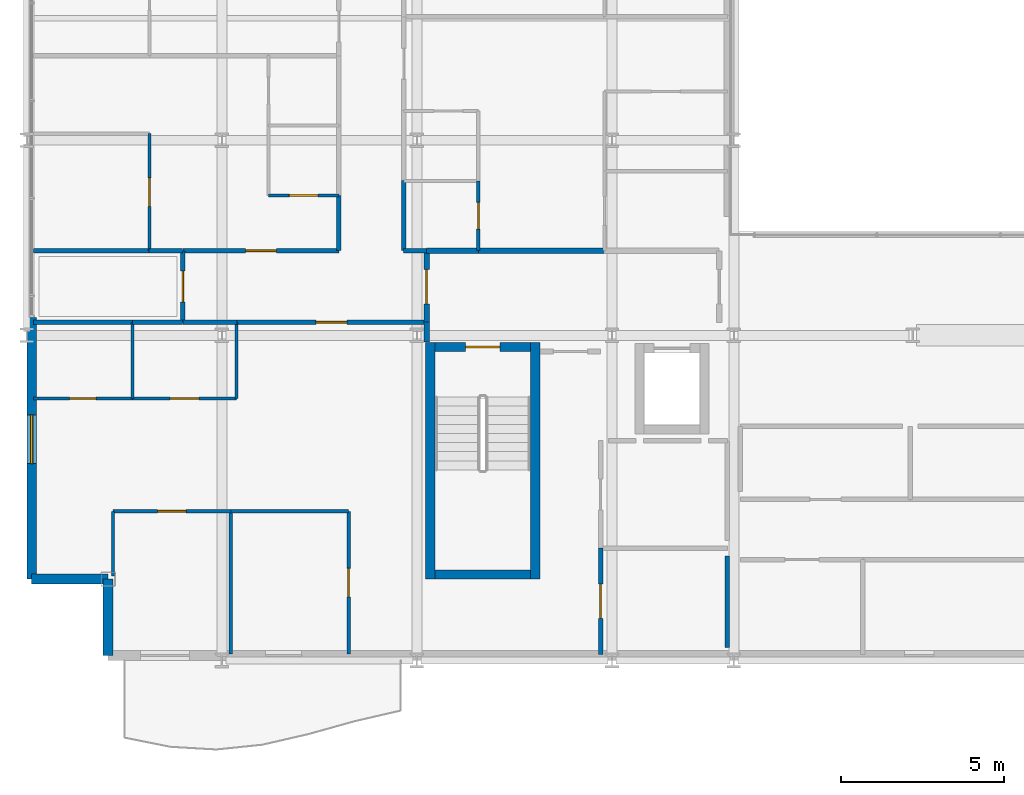
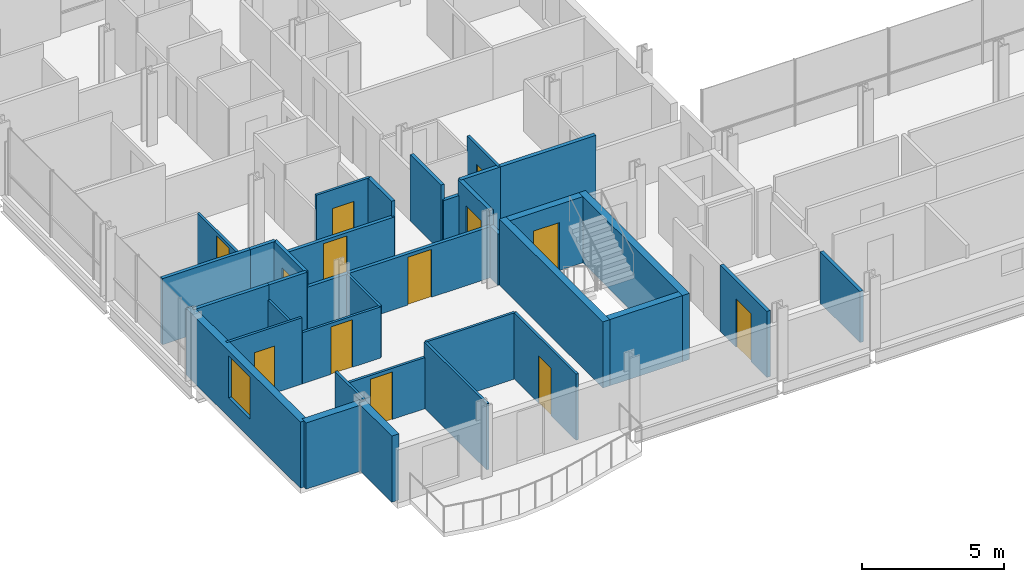
# One storey, part 31 of 41: 36 walls, 13 doors, 1 window, 14 openings.
"""IFC4 building model written with IfcOpenShell, lengths in metres."""

from ifc_helpers import new_model, si_unit, direction, frame, frame_2d, origin, place, context, subcontext, project, spatial, rectangle, extrude, material, layer, layer_set, type_object, element, fill, save


model = new_model("IFC4")

# Units and contexts
model_context = context("Model", 3, precision=1e-05, world=origin(), true_north=direction((0.0, 1.0)))
body_context = subcontext(model_context, "Body", "Model", "MODEL_VIEW")
ifc_project = project(units=[si_unit("LENGTHUNIT", "METRE"), si_unit("AREAUNIT", "SQUARE_METRE"), si_unit("VOLUMEUNIT", "CUBIC_METRE"), si_unit("PLANEANGLEUNIT", "RADIAN"), si_unit("MASSUNIT", "GRAM", prefix="KILO")], contexts=[model_context])

# Site, building, storey
site_placement = place(None, origin())
site = spatial("IfcSite", under=ifc_project, at=site_placement, CompositionType="ELEMENT")
building_placement = place(site_placement, origin())
building = spatial("IfcBuilding", under=site, at=building_placement, Name="Brevholm Reach", CompositionType="ELEMENT")
storey_placement = place(building_placement, frame((0.0, 0.0, 93.10009765625)))
storey = spatial("IfcBuildingStorey", under=building, at=storey_placement, Name="L27", CompositionType="ELEMENT", Elevation=93.10009765625)

# Walls
ifc_material_1 = material(Name="Concrete C50/60", Category="concrete")
ifc_layer_1 = layer(ifc_material_1, 0.280029296875)
ifc_layer_set_1 = layer_set([ifc_layer_1], Name="Concrete C50/60")
wall_type_1 = type_object("IfcWallType", Name="WAL-COR-280", PredefinedType="SHEAR", material=ifc_layer_set_1)
for number, where, z_axis, x_axis, name in (
    (1, (12.409912109375, 2.5, 0.0), (0.0, 0.0, 1.0), (0.0, 1.0, 0.0), "L27 Escape Stair ST-1 Core Wall W"),
    (2, (15.639892578125, 2.5, 0.0), (0.0, 0.0, 1.0), (0.0, 1.0, 0.0), "L27 Escape Stair ST-1 Core Wall E"),
):
    element("IfcWall", number, at=place(storey_placement, frame(where, z_axis=z_axis, x_axis=x_axis)), inside=storey, type_object=wall_type_1, Name=name, PredefinedType="SHEAR", context=body_context, shape_type="SweptSolid", body=[
        extrude(rectangle(XDim=7.280029296875, YDim=0.280029296875, at=frame_2d((3.64013671875, 0.0))), origin(), (0.0, 0.0, 1.0), 2.83984375),
    ])
wall_1_placement = place(storey_placement, frame((12.550048828125, 2.639892578125, 0.0), z_axis=(0.0, 0.0, 1.0), x_axis=(1.0, 0.0, 0.0)))
element("IfcWall", 3, at=wall_1_placement, inside=storey, type_object=wall_type_1, Name="L27 Escape Stair ST-1 Core Wall S", PredefinedType="SHEAR", context=body_context, shape_type="SweptSolid", body=[
    extrude(rectangle(XDim=2.949951171875, YDim=0.280029296875, at=frame_2d((1.47509765625, 0.0))), origin(), (0.0, 0.0, 1.0), 2.83984375),
])

# Wall, opening, door
wall_2_placement = place(storey_placement, frame((15.5, 9.639892578125, 0.0), z_axis=(0.0, 0.0, 1.0), x_axis=(-1.0, 0.0, 0.0)))
wall_2 = element("IfcWall", 4, at=wall_2_placement, inside=storey, type_object=wall_type_1, Name="L27 Escape Stair ST-1 Core Wall N", PredefinedType="SHEAR", context=body_context, shape_type="SweptSolid", body=[
    extrude(rectangle(XDim=2.949951171875, YDim=0.280029296875, at=frame_2d((1.47509765625, 0.0))), origin(), (0.0, 0.0, 1.0), 2.83984375),
])
opening_1_placement = place(wall_2_placement, frame((0.949951171875, 0.0, 0.0)))
opening_1 = element("IfcOpeningElement", 5, at=opening_1_placement, cuts=wall_2, Name="Opening SD-ST-1", PredefinedType="OPENING", context=body_context, shape_type="SweptSolid", body=[
    extrude(rectangle(XDim=1.050048828125, YDim=2.06005859375, at=frame_2d((0.52490234375, 1.030029296875))), frame((0.0, 0.14990234375, 0.0), z_axis=(0.0, -1.0, 0.0), x_axis=(1.0, 0.0, 0.0)), (0.0, 0.0, 1.0), 0.300048828125),
])
ifc_material_2 = material(Name="Hardwood-Lipped Steel-Core Fire and Smoke Door", Category="steel")
door_type_1 = type_object("IfcDoorType", Name="DOR-INT-FD60S", OperationType="NOTDEFINED", PredefinedType="DOOR", material=ifc_material_2)
door_1_placement = place(opening_1_placement, origin())
door_1 = element("IfcDoor", 6, at=door_1_placement, inside=storey, type_object=door_type_1, Name="L27 Protected Stair ST-1 Lobby Door", OperationType="SINGLE_SWING_LEFT", OverallHeight=2.06005859375, OverallWidth=1.050048828125, PredefinedType="DOOR", context=body_context, shape_type="SweptSolid", body=[
    extrude(rectangle(XDim=1.050048828125, YDim=2.06005859375, at=frame_2d((0.52490234375, 1.030029296875))), frame((0.0, 0.02490234375, 0.0), z_axis=(0.0, -1.0, 0.0), x_axis=(1.0, 0.0, 0.0)), (0.0, 0.0, 1.0), 0.050048828125),
])
fill(opening_1, door_1)

# Walls
ifc_material_3 = material(Name="Concrete C40/50", Category="concrete")
ifc_layer_2 = layer(ifc_material_3, 0.300048828125)
ifc_layer_set_2 = layer_set([ifc_layer_2], Name="Concrete C40/50")
wall_type_2 = type_object("IfcWallType", Name="WAL-EXT-300", PredefinedType="STANDARD", material=ifc_layer_set_2)
for number, where, z_axis, x_axis, name in (
    (7, (2.5, 2.5, 0.0), (0.0, 0.0, 1.0), (0.0, -1.0, 0.0), "L27 Facade Wall WAL-L27-CSW1"),
    (8, (0.14990234375, 2.5, 0.0), (0.0, 0.0, 1.0), (1.0, 0.0, 0.0), "L27 Facade Wall WAL-L27-CSW2"),
):
    element("IfcWall", number, at=place(storey_placement, frame(where, z_axis=z_axis, x_axis=x_axis)), inside=storey, type_object=wall_type_2, Name=name, PredefinedType="STANDARD", context=body_context, shape_type="SweptSolid", body=[
        extrude(rectangle(XDim=2.35009765625, YDim=0.300048828125, at=frame_2d((1.175048828125, 0.0))), origin(), (0.0, 0.0, 1.0), 2.83984375),
    ])

# Wall, opening, window
wall_3_placement = place(storey_placement, frame((0.14990234375, 10.550048828125, 0.0), z_axis=(0.0, 0.0, 1.0), x_axis=(0.0, -1.0, 0.0)))
wall_3 = element("IfcWall", 9, at=wall_3_placement, inside=storey, type_object=wall_type_2, Name="L27 Facade Wall WAL-L27-W-S", PredefinedType="STANDARD", context=body_context, shape_type="SweptSolid", body=[
    extrude(rectangle(XDim=8.050048828125, YDim=0.300048828125, at=frame_2d((4.02490234375, 0.0))), origin(), (0.0, 0.0, 1.0), 2.83984375),
])
opening_2_placement = place(wall_3_placement, frame((3.0, 0.0, 0.820068359375)))
opening_2 = element("IfcOpeningElement", 10, at=opening_2_placement, cuts=wall_3, Name="Opening WN-05", PredefinedType="OPENING", context=body_context, shape_type="SweptSolid", body=[
    extrude(rectangle(XDim=1.5, YDim=1.800048828125, at=frame_2d((0.75, 0.89990234375))), frame((0.0, 0.159912109375, 0.0), z_axis=(0.0, -1.0, 0.0), x_axis=(1.0, 0.0, 0.0)), (0.0, 0.0, 1.0), 0.320068359375),
])
ifc_material_4 = material(Name="Dark Anodised Aluminium and Solar-Control IGU Glass", Category="aluminium")
window_type = type_object("IfcWindowType", Name="WIN-RES-1500", PartitioningType="SINGLE_PANEL", PredefinedType="WINDOW", material=ifc_material_4)
window_placement = place(opening_2_placement, origin())
window = element("IfcWindow", 11, at=window_placement, inside=storey, type_object=window_type, Name="L27 Window WIN-L27-WS-1", OverallHeight=1.800048828125, OverallWidth=1.5, PartitioningType="SINGLE_PANEL", PredefinedType="WINDOW", context=body_context, shape_type="SweptSolid", body=[
    extrude(rectangle(XDim=1.5, YDim=1.800048828125, at=frame_2d((0.75, 0.89990234375))), frame((0.0, 0.030029296875, 0.0), z_axis=(0.0, -1.0, 0.0), x_axis=(1.0, 0.0, 0.0)), (0.0, 0.0, 1.0), 0.06005859375),
])
fill(opening_2, window)

# Wall
ifc_material_5 = material(Name="Moisture-Resistant Acoustic Gypsum Stud Partition 100 mm", Category="gypsum")
ifc_layer_3 = layer(ifc_material_5, 0.10009765625)
ifc_layer_set_3 = layer_set([ifc_layer_3], Name="Moisture-Resistant Acoustic Gypsum Stud Partition 100 mm")
wall_type_3 = type_object("IfcWallType", Name="WAL-PRT-100", PredefinedType="PARTITIONING", material=ifc_layer_set_3)
wall_4_placement = place(storey_placement, frame((3.25, 8.053955078125, 0.0), z_axis=(0.0, 0.0, 1.0), x_axis=(0.0, 1.0, 0.0)))
element("IfcWall", 12, at=wall_4_placement, inside=storey, type_object=wall_type_3, Name="L27 Internal Partition 067", PredefinedType="PARTITIONING", context=body_context, shape_type="SweptSolid", body=[
    extrude(rectangle(XDim=2.345947265625, YDim=0.10009765625, at=frame_2d((1.1728515625, 0.0))), origin(), (0.0, 0.0, 1.0), 2.19482421875),
])

# Wall, opening, door
wall_5_placement = place(storey_placement, frame((0.199951171875, 8.053955078125, 0.0), z_axis=(0.0, 0.0, 1.0), x_axis=(1.0, 0.0, 0.0)))
wall_5 = element("IfcWall", 13, at=wall_5_placement, inside=storey, type_object=wall_type_3, Name="L27 Internal Partition 068", PredefinedType="PARTITIONING", context=body_context, shape_type="SweptSolid", body=[
    extrude(rectangle(XDim=3.050048828125, YDim=0.10009765625, at=frame_2d((1.52490234375, 0.0))), origin(), (0.0, 0.0, 1.0), 2.83984375),
])
opening_3_placement = place(wall_5_placement, frame((1.114990234375, 0.0, 0.0)))
opening_3 = element("IfcOpeningElement", 14, at=opening_3_placement, cuts=wall_5, Name="Opening ID-03", PredefinedType="OPENING", context=body_context, shape_type="SweptSolid", body=[
    extrude(rectangle(XDim=0.820068359375, YDim=2.02001953125, at=frame_2d((0.41015625, 1.010009765625))), frame((0.0, 0.06005859375, 0.0), z_axis=(0.0, -1.0, 0.0), x_axis=(1.0, 0.0, 0.0)), (0.0, 0.0, 1.0), 0.1201171875),
])
ifc_material_6 = material(Name="Moisture-Resistant Painted Timber Internal Bathroom Door", Category="wood")
door_type_2 = type_object("IfcDoorType", Name="DOR-BATH-820", OperationType="NOTDEFINED", PredefinedType="DOOR", material=ifc_material_6)
door_2_placement = place(opening_3_placement, origin())
door_2 = element("IfcDoor", 15, at=door_2_placement, inside=storey, type_object=door_type_2, Name="L27 Internal Door 026", OperationType="SINGLE_SWING_LEFT", OverallHeight=2.02001953125, OverallWidth=0.820068359375, PredefinedType="DOOR", context=body_context, shape_type="SweptSolid", body=[
    extrude(rectangle(XDim=0.820068359375, YDim=2.02001953125, at=frame_2d((0.41015625, 1.010009765625))), frame((0.0, 0.02490234375, 0.0), z_axis=(0.0, -1.0, 0.0), x_axis=(1.0, 0.0, 0.0)), (0.0, 0.0, 1.0), 0.050048828125),
])
fill(opening_3, door_2)

wall_6_placement = place(storey_placement, frame((3.25390625, 8.053955078125, 0.0), z_axis=(0.0, 0.0, 1.0), x_axis=(1.0, 0.0, 0.0)))
wall_6 = element("IfcWall", 16, at=wall_6_placement, inside=storey, type_object=wall_type_3, Name="L27 Internal Partition 070", PredefinedType="PARTITIONING", context=body_context, shape_type="SweptSolid", body=[
    extrude(rectangle(XDim=3.196044921875, YDim=0.10009765625, at=frame_2d((1.59814453125, 0.0))), origin(), (0.0, 0.0, 1.0), 2.19482421875),
])
opening_4_placement = place(wall_6_placement, frame((1.157958984375, 0.0, 0.0)))
opening_4 = element("IfcOpeningElement", 17, at=opening_4_placement, cuts=wall_6, Name="Opening ID-01", PredefinedType="OPENING", context=body_context, shape_type="SweptSolid", body=[
    extrude(rectangle(XDim=0.8798828125, YDim=2.0400390625, at=frame_2d((0.43994140625, 1.02001953125))), frame((0.0, 0.06005859375, 0.0), z_axis=(0.0, -1.0, 0.0), x_axis=(1.0, 0.0, 0.0)), (0.0, 0.0, 1.0), 0.1201171875),
])
ifc_material_7 = material(Name="Lacquered Ash Solid-Core Acoustic Internal Door", Category="timber")
door_type_3 = type_object("IfcDoorType", Name="DOR-INT-880", OperationType="NOTDEFINED", PredefinedType="DOOR", material=ifc_material_7)
door_3_placement = place(opening_4_placement, origin())
door_3 = element("IfcDoor", 18, at=door_3_placement, inside=storey, type_object=door_type_3, Name="L27 Internal Door 027", OperationType="SINGLE_SWING_RIGHT", OverallHeight=2.0400390625, OverallWidth=0.8798828125, PredefinedType="DOOR", context=body_context, shape_type="SweptSolid", body=[
    extrude(rectangle(XDim=0.8798828125, YDim=2.0400390625, at=frame_2d((0.43994140625, 1.02001953125))), frame((0.0, 0.02490234375, 0.0), z_axis=(0.0, -1.0, 0.0), x_axis=(1.0, 0.0, 0.0)), (0.0, 0.0, 1.0), 0.050048828125),
])
fill(opening_4, door_3)

# Walls
wall_7_placement = place(storey_placement, frame((6.449951171875, 8.053955078125, 0.0), z_axis=(0.0, 0.0, 1.0), x_axis=(0.0, 1.0, 0.0)))
element("IfcWall", 19, at=wall_7_placement, inside=storey, type_object=wall_type_3, Name="L27 Internal Partition 071", PredefinedType="PARTITIONING", context=body_context, shape_type="SweptSolid", body=[
    extrude(rectangle(XDim=2.342041015625, YDim=0.10009765625, at=frame_2d((1.1708984375, 0.0))), origin(), (0.0, 0.0, 1.0), 2.19482421875),
])
wall_8_placement = place(storey_placement, frame((6.27490234375, 0.199951171875, 0.0), z_axis=(0.0, 0.0, 1.0), x_axis=(0.0, 1.0, 0.0)))
element("IfcWall", 20, at=wall_8_placement, inside=storey, type_object=wall_type_3, Name="L27 Internal Partition 073", PredefinedType="PARTITIONING", context=body_context, shape_type="SweptSolid", body=[
    extrude(rectangle(XDim=4.385986328125, YDim=0.10009765625, at=frame_2d((2.19287109375, 0.0))), origin(), (0.0, 0.0, 1.0), 2.83984375),
])
wall_9_placement = place(storey_placement, frame((2.64990234375, 2.599365234375, 0.0), z_axis=(0.0, 0.0, 1.0), x_axis=(0.0, 1.0, 0.0)))
element("IfcWall", 21, at=wall_9_placement, inside=storey, type_object=wall_type_3, Name="L27 Internal Partition 074", PredefinedType="PARTITIONING", context=body_context, shape_type="SweptSolid", body=[
    extrude(rectangle(XDim=1.986572265625, YDim=0.10009765625, at=frame_2d((0.9931640625, 0.0))), origin(), (0.0, 0.0, 1.0), 2.83984375),
])

# Wall, opening, door
wall_10_placement = place(storey_placement, frame((2.64990234375, 4.5859375, 0.0), z_axis=(0.0, 0.0, 1.0), x_axis=(1.0, 0.0, 0.0)))
wall_10 = element("IfcWall", 22, at=wall_10_placement, inside=storey, type_object=wall_type_3, Name="L27 Internal Partition 075", PredefinedType="PARTITIONING", context=body_context, shape_type="SweptSolid", body=[
    extrude(rectangle(XDim=3.625, YDim=0.10009765625, at=frame_2d((1.8125, 0.0))), origin(), (0.0, 0.0, 1.0), 2.19482421875),
])
opening_5_placement = place(wall_10_placement, frame((1.37255859375, 0.0, 0.0)))
opening_5 = element("IfcOpeningElement", 23, at=opening_5_placement, cuts=wall_10, Name="Opening ID-01", PredefinedType="OPENING", context=body_context, shape_type="SweptSolid", body=[
    extrude(rectangle(XDim=0.8798828125, YDim=2.0400390625, at=frame_2d((0.43994140625, 1.02001953125))), frame((0.0, 0.06005859375, 0.0), z_axis=(0.0, -1.0, 0.0), x_axis=(1.0, 0.0, 0.0)), (0.0, 0.0, 1.0), 0.1201171875),
])
door_4_placement = place(opening_5_placement, origin())
door_4 = element("IfcDoor", 24, at=door_4_placement, inside=storey, type_object=door_type_3, Name="L27 Internal Door 028", OperationType="SINGLE_SWING_LEFT", OverallHeight=2.0400390625, OverallWidth=0.8798828125, PredefinedType="DOOR", context=body_context, shape_type="SweptSolid", body=[
    extrude(rectangle(XDim=0.8798828125, YDim=2.0400390625, at=frame_2d((0.43994140625, 1.02001953125))), frame((0.0, 0.02490234375, 0.0), z_axis=(0.0, -1.0, 0.0), x_axis=(1.0, 0.0, 0.0)), (0.0, 0.0, 1.0), 0.050048828125),
])
fill(opening_5, door_4)

wall_11_placement = place(storey_placement, frame((9.89990234375, 0.199951171875, 0.0), z_axis=(0.0, 0.0, 1.0), x_axis=(0.0, 1.0, 0.0)))
wall_11 = element("IfcWall", 25, at=wall_11_placement, inside=storey, type_object=wall_type_3, Name="L27 Internal Partition 076", PredefinedType="PARTITIONING", context=body_context, shape_type="SweptSolid", body=[
    extrude(rectangle(XDim=4.385986328125, YDim=0.10009765625, at=frame_2d((2.19287109375, 0.0))), origin(), (0.0, 0.0, 1.0), 2.83984375),
])
opening_6_placement = place(wall_11_placement, frame((1.7529296875, 0.0, 0.0)))
opening_6 = element("IfcOpeningElement", 26, at=opening_6_placement, cuts=wall_11, Name="Opening ID-01", PredefinedType="OPENING", context=body_context, shape_type="SweptSolid", body=[
    extrude(rectangle(XDim=0.8798828125, YDim=2.0400390625, at=frame_2d((0.43994140625, 1.02001953125))), frame((0.0, 0.06005859375, 0.0), z_axis=(0.0, -1.0, 0.0), x_axis=(1.0, 0.0, 0.0)), (0.0, 0.0, 1.0), 0.1201171875),
])
door_5_placement = place(opening_6_placement, origin())
door_5 = element("IfcDoor", 27, at=door_5_placement, inside=storey, type_object=door_type_3, Name="L27 Internal Door 029", OperationType="SINGLE_SWING_RIGHT", OverallHeight=2.0400390625, OverallWidth=0.8798828125, PredefinedType="DOOR", context=body_context, shape_type="SweptSolid", body=[
    extrude(rectangle(XDim=0.8798828125, YDim=2.0400390625, at=frame_2d((0.43994140625, 1.02001953125))), frame((0.0, 0.02490234375, 0.0), z_axis=(0.0, -1.0, 0.0), x_axis=(1.0, 0.0, 0.0)), (0.0, 0.0, 1.0), 0.050048828125),
])
fill(opening_6, door_5)

# Wall
wall_12_placement = place(storey_placement, frame((6.279052734375, 4.5859375, 0.0), z_axis=(0.0, 0.0, 1.0), x_axis=(1.0, 0.0, 0.0)))
element("IfcWall", 28, at=wall_12_placement, inside=storey, type_object=wall_type_3, Name="L27 Internal Partition 077", PredefinedType="PARTITIONING", context=body_context, shape_type="SweptSolid", body=[
    extrude(rectangle(XDim=3.620849609375, YDim=0.10009765625, at=frame_2d((1.810546875, 0.0))), origin(), (0.0, 0.0, 1.0), 2.83984375),
])

# Wall, opening, door
wall_13_placement = place(storey_placement, frame((7.43798828125, 14.300048828125, 0.0), z_axis=(0.0, 0.0, 1.0), x_axis=(1.0, 0.0, 0.0)))
wall_13 = element("IfcWall", 29, at=wall_13_placement, inside=storey, type_object=wall_type_3, Name="L27 Internal Partition 093", PredefinedType="PARTITIONING", context=body_context, shape_type="SweptSolid", body=[
    extrude(rectangle(XDim=2.157958984375, YDim=0.10009765625, at=frame_2d((1.0791015625, 0.0))), origin(), (0.0, 0.0, 1.0), 2.83984375),
])
opening_7_placement = place(wall_13_placement, frame((0.638916015625, 0.0, 0.0)))
opening_7 = element("IfcOpeningElement", 30, at=opening_7_placement, cuts=wall_13, Name="Opening ID-01", PredefinedType="OPENING", context=body_context, shape_type="SweptSolid", body=[
    extrude(rectangle(XDim=0.8798828125, YDim=2.0400390625, at=frame_2d((0.43994140625, 1.02001953125))), frame((0.0, 0.06005859375, 0.0), z_axis=(0.0, -1.0, 0.0), x_axis=(1.0, 0.0, 0.0)), (0.0, 0.0, 1.0), 0.1201171875),
])
door_6_placement = place(opening_7_placement, origin())
door_6 = element("IfcDoor", 31, at=door_6_placement, inside=storey, type_object=door_type_3, Name="L27 Internal Door 034", OperationType="SINGLE_SWING_LEFT", OverallHeight=2.0400390625, OverallWidth=0.8798828125, PredefinedType="DOOR", context=body_context, shape_type="SweptSolid", body=[
    extrude(rectangle(XDim=0.8798828125, YDim=2.0400390625, at=frame_2d((0.43994140625, 1.02001953125))), frame((0.0, 0.02490234375, 0.0), z_axis=(0.0, -1.0, 0.0), x_axis=(1.0, 0.0, 0.0)), (0.0, 0.0, 1.0), 0.050048828125),
])
fill(opening_7, door_6)

wall_14_placement = place(storey_placement, frame((3.77197265625, 12.60400390625, 0.0), z_axis=(0.0, 0.0, 1.0), x_axis=(0.0, 1.0, 0.0)))
wall_14 = element("IfcWall", 32, at=wall_14_placement, inside=storey, type_object=wall_type_3, Name="L27 Internal Partition 095", PredefinedType="PARTITIONING", context=body_context, shape_type="SweptSolid", body=[
    extrude(rectangle(XDim=3.595947265625, YDim=0.10009765625, at=frame_2d((1.7978515625, 0.0))), origin(), (0.0, 0.0, 1.0), 2.19482421875),
])
opening_8_placement = place(wall_14_placement, frame((1.35791015625, 0.0, 0.0)))
opening_8 = element("IfcOpeningElement", 33, at=opening_8_placement, cuts=wall_14, Name="Opening ID-01", PredefinedType="OPENING", context=body_context, shape_type="SweptSolid", body=[
    extrude(rectangle(XDim=0.8798828125, YDim=2.0400390625, at=frame_2d((0.43994140625, 1.02001953125))), frame((0.0, 0.06005859375, 0.0), z_axis=(0.0, -1.0, 0.0), x_axis=(1.0, 0.0, 0.0)), (0.0, 0.0, 1.0), 0.1201171875),
])
door_7_placement = place(opening_8_placement, origin())
door_7 = element("IfcDoor", 34, at=door_7_placement, inside=storey, type_object=door_type_3, Name="L27 Internal Door 035", OperationType="SINGLE_SWING_RIGHT", OverallHeight=2.0400390625, OverallWidth=0.8798828125, PredefinedType="DOOR", context=body_context, shape_type="SweptSolid", body=[
    extrude(rectangle(XDim=0.8798828125, YDim=2.0400390625, at=frame_2d((0.43994140625, 1.02001953125))), frame((0.0, 0.02490234375, 0.0), z_axis=(0.0, -1.0, 0.0), x_axis=(1.0, 0.0, 0.0)), (0.0, 0.0, 1.0), 0.050048828125),
])
fill(opening_8, door_7)

wall_15_placement = place(storey_placement, frame((13.888916015625, 12.60400390625, 0.0), z_axis=(0.0, 0.0, 1.0), x_axis=(0.0, 1.0, 0.0)))
wall_15 = element("IfcWall", 35, at=wall_15_placement, inside=storey, type_object=wall_type_3, Name="L27 Internal Partition 115", PredefinedType="PARTITIONING", context=body_context, shape_type="SweptSolid", body=[
    extrude(rectangle(XDim=2.14599609375, YDim=0.10009765625, at=frame_2d((1.072998046875, 0.0))), origin(), (0.0, 0.0, 1.0), 2.83984375),
])
opening_9_placement = place(wall_15_placement, frame((0.6630859375, 0.0, 0.0)))
opening_9 = element("IfcOpeningElement", 36, at=opening_9_placement, cuts=wall_15, Name="Opening ID-03", PredefinedType="OPENING", context=body_context, shape_type="SweptSolid", body=[
    extrude(rectangle(XDim=0.820068359375, YDim=2.02001953125, at=frame_2d((0.41015625, 1.010009765625))), frame((0.0, 0.06005859375, 0.0), z_axis=(0.0, -1.0, 0.0), x_axis=(1.0, 0.0, 0.0)), (0.0, 0.0, 1.0), 0.1201171875),
])
door_8_placement = place(opening_9_placement, origin())
door_8 = element("IfcDoor", 37, at=door_8_placement, inside=storey, type_object=door_type_2, Name="L27 Internal Door 042", OperationType="SINGLE_SWING_LEFT", OverallHeight=2.02001953125, OverallWidth=0.820068359375, PredefinedType="DOOR", context=body_context, shape_type="SweptSolid", body=[
    extrude(rectangle(XDim=0.820068359375, YDim=2.02001953125, at=frame_2d((0.41015625, 1.010009765625))), frame((0.0, 0.02490234375, 0.0), z_axis=(0.0, -1.0, 0.0), x_axis=(1.0, 0.0, 0.0)), (0.0, 0.0, 1.0), 0.050048828125),
])
fill(opening_9, door_8)

ifc_material_8 = material(Name="Twin-Stud Acoustic Fire-Rated Gypsum Partition 140 mm", Category="gypsum")
ifc_layer_4 = layer(ifc_material_8, 0.139892578125)
ifc_layer_set_4 = layer_set([ifc_layer_4], Name="Twin-Stud Acoustic Fire-Rated Gypsum Partition 140 mm")
wall_type_4 = type_object("IfcWallType", Name="WAL-PRT-140", PredefinedType="PARTITIONING", material=ifc_layer_set_4)
wall_16_placement = place(storey_placement, frame((17.64990234375, 0.179931640625, 0.0), z_axis=(0.0, 0.0, 1.0), x_axis=(0.0, 1.0, 0.0)))
wall_16 = element("IfcWall", 38, at=wall_16_placement, inside=storey, type_object=wall_type_4, Name="L27 Internal Partition 009", PredefinedType="PARTITIONING", context=body_context, shape_type="SweptSolid", body=[
    extrude(rectangle(XDim=3.28125, YDim=0.139892578125, at=frame_2d((1.640625, 0.0))), origin(), (0.0, 0.0, 1.0), 2.83984375),
])
opening_10_placement = place(wall_16_placement, frame((1.11572265625, 0.0, 0.0)))
opening_10 = element("IfcOpeningElement", 39, at=opening_10_placement, cuts=wall_16, Name="Opening FD-01", PredefinedType="OPENING", context=body_context, shape_type="SweptSolid", body=[
    extrude(rectangle(XDim=1.050048828125, YDim=2.06005859375, at=frame_2d((0.52490234375, 1.030029296875))), frame((0.0, 0.079833984375, 0.0), z_axis=(0.0, -1.0, 0.0), x_axis=(1.0, 0.0, 0.0)), (0.0, 0.0, 1.0), 0.159912109375),
])
door_9_placement = place(opening_10_placement, origin())
door_9 = element("IfcDoor", 40, at=door_9_placement, inside=storey, type_object=door_type_1, Name="L27 Internal Door 005", OperationType="SINGLE_SWING_RIGHT", OverallHeight=2.06005859375, OverallWidth=1.050048828125, PredefinedType="DOOR", context=body_context, shape_type="SweptSolid", body=[
    extrude(rectangle(XDim=1.050048828125, YDim=2.06005859375, at=frame_2d((0.52490234375, 1.030029296875))), frame((0.0, 0.02490234375, 0.0), z_axis=(0.0, -1.0, 0.0), x_axis=(1.0, 0.0, 0.0)), (0.0, 0.0, 1.0), 0.050048828125),
])
fill(opening_10, door_9)

# Wall
wall_17_placement = place(storey_placement, frame((4.800048828125, 10.39990234375, 0.0), z_axis=(0.0, 0.0, 1.0), x_axis=(1.0, 0.0, 0.0)))
element("IfcWall", 41, at=wall_17_placement, inside=storey, type_object=wall_type_4, Name="L27 Internal Partition 027", PredefinedType="PARTITIONING", context=body_context, shape_type="SweptSolid", body=[
    extrude(rectangle(XDim=1.6611328125, YDim=0.139892578125, at=frame_2d((0.83056640625, 0.0))), origin(), (0.0, 0.0, 1.0), 2.19482421875),
])

# Wall, opening, door
wall_18_placement = place(storey_placement, frame((6.442626953125, 10.39990234375, 0.0), z_axis=(0.0, 0.0, 1.0), x_axis=(1.0, 0.0, 0.0)))
wall_18 = element("IfcWall", 42, at=wall_18_placement, inside=storey, type_object=wall_type_4, Name="L27 Internal Partition 028", PredefinedType="PARTITIONING", context=body_context, shape_type="SweptSolid", body=[
    extrude(rectangle(XDim=5.853271484375, YDim=0.139892578125, at=frame_2d((2.9267578125, 0.0))), origin(), (0.0, 0.0, 1.0), 2.19482421875),
])
opening_11_placement = place(wall_18_placement, frame((2.45166015625, 0.0, 0.0)))
opening_11 = element("IfcOpeningElement", 43, at=opening_11_placement, cuts=wall_18, Name="Opening ID-30", PredefinedType="OPENING", context=body_context, shape_type="SweptSolid", body=[
    extrude(rectangle(XDim=0.949951171875, YDim=2.050048828125, at=frame_2d((0.47509765625, 1.02490234375))), frame((0.0, 0.079833984375, 0.0), z_axis=(0.0, -1.0, 0.0), x_axis=(1.0, 0.0, 0.0)), (0.0, 0.0, 1.0), 0.159912109375),
])
ifc_material_9 = material(Name="European Oak Veneered Solid-Core Fire Entrance Door", Category="timber")
door_type_4 = type_object("IfcDoorType", Name="DOR-FLT-FD30S", OperationType="NOTDEFINED", PredefinedType="DOOR", material=ifc_material_9)
door_10_placement = place(opening_11_placement, origin())
door_10 = element("IfcDoor", 44, at=door_10_placement, inside=storey, type_object=door_type_4, Name="L27 Internal Door 015", OperationType="SINGLE_SWING_RIGHT", OverallHeight=2.050048828125, OverallWidth=0.949951171875, PredefinedType="DOOR", context=body_context, shape_type="SweptSolid", body=[
    extrude(rectangle(XDim=0.949951171875, YDim=2.050048828125, at=frame_2d((0.47509765625, 1.02490234375))), frame((0.0, 0.02490234375, 0.0), z_axis=(0.0, -1.0, 0.0), x_axis=(1.0, 0.0, 0.0)), (0.0, 0.0, 1.0), 0.050048828125),
])
fill(opening_11, door_10)

wall_19_placement = place(storey_placement, frame((4.800048828125, 10.39990234375, 0.0), z_axis=(0.0, 0.0, 1.0), x_axis=(0.0, 1.0, 0.0)))
wall_19 = element("IfcWall", 45, at=wall_19_placement, inside=storey, type_object=wall_type_4, Name="L27 Internal Partition 029", PredefinedType="PARTITIONING", context=body_context, shape_type="SweptSolid", body=[
    extrude(rectangle(XDim=2.2001953125, YDim=0.139892578125, at=frame_2d((1.10009765625, 0.0))), origin(), (0.0, 0.0, 1.0), 2.83984375),
])
opening_12_placement = place(wall_19_placement, frame((0.625, 0.0, 0.0)))
opening_12 = element("IfcOpeningElement", 46, at=opening_12_placement, cuts=wall_19, Name="Opening ID-30", PredefinedType="OPENING", context=body_context, shape_type="SweptSolid", body=[
    extrude(rectangle(XDim=0.949951171875, YDim=2.050048828125, at=frame_2d((0.47509765625, 1.02490234375))), frame((0.0, 0.079833984375, 0.0), z_axis=(0.0, -1.0, 0.0), x_axis=(1.0, 0.0, 0.0)), (0.0, 0.0, 1.0), 0.159912109375),
])
door_11_placement = place(opening_12_placement, origin())
door_11 = element("IfcDoor", 47, at=door_11_placement, inside=storey, type_object=door_type_4, Name="L27 Internal Door 016", OperationType="SINGLE_SWING_LEFT", OverallHeight=2.050048828125, OverallWidth=0.949951171875, PredefinedType="DOOR", context=body_context, shape_type="SweptSolid", body=[
    extrude(rectangle(XDim=0.949951171875, YDim=2.050048828125, at=frame_2d((0.47509765625, 1.02490234375))), frame((0.0, 0.02490234375, 0.0), z_axis=(0.0, -1.0, 0.0), x_axis=(1.0, 0.0, 0.0)), (0.0, 0.0, 1.0), 0.050048828125),
])
fill(opening_12, door_11)

wall_20_placement = place(storey_placement, frame((4.800048828125, 12.60009765625, 0.0), z_axis=(0.0, 0.0, 1.0), x_axis=(1.0, 0.0, 0.0)))
wall_20 = element("IfcWall", 48, at=wall_20_placement, inside=storey, type_object=wall_type_4, Name="L27 Internal Partition 030", PredefinedType="PARTITIONING", context=body_context, shape_type="SweptSolid", body=[
    extrude(rectangle(XDim=4.807373046875, YDim=0.139892578125, at=frame_2d((2.40380859375, 0.0))), origin(), (0.0, 0.0, 1.0), 2.19482421875),
])
opening_13_placement = place(wall_20_placement, frame((1.9287109375, 0.0, 0.0)))
opening_13 = element("IfcOpeningElement", 49, at=opening_13_placement, cuts=wall_20, Name="Opening ID-30", PredefinedType="OPENING", context=body_context, shape_type="SweptSolid", body=[
    extrude(rectangle(XDim=0.949951171875, YDim=2.050048828125, at=frame_2d((0.47509765625, 1.02490234375))), frame((0.0, 0.079833984375, 0.0), z_axis=(0.0, -1.0, 0.0), x_axis=(1.0, 0.0, 0.0)), (0.0, 0.0, 1.0), 0.159912109375),
])
door_12_placement = place(opening_13_placement, origin())
door_12 = element("IfcDoor", 50, at=door_12_placement, inside=storey, type_object=door_type_4, Name="L27 Internal Door 017", OperationType="SINGLE_SWING_RIGHT", OverallHeight=2.050048828125, OverallWidth=0.949951171875, PredefinedType="DOOR", context=body_context, shape_type="SweptSolid", body=[
    extrude(rectangle(XDim=0.949951171875, YDim=2.050048828125, at=frame_2d((0.47509765625, 1.02490234375))), frame((0.0, 0.02490234375, 0.0), z_axis=(0.0, -1.0, 0.0), x_axis=(1.0, 0.0, 0.0)), (0.0, 0.0, 1.0), 0.050048828125),
])
fill(opening_13, door_12)

# Walls
wall_21_placement = place(storey_placement, frame((11.5927734375, 12.60009765625, 0.0), z_axis=(0.0, 0.0, 1.0), x_axis=(1.0, 0.0, 0.0)))
element("IfcWall", 51, at=wall_21_placement, inside=storey, type_object=wall_type_4, Name="L27 Internal Partition 031", PredefinedType="PARTITIONING", context=body_context, shape_type="SweptSolid", body=[
    extrude(rectangle(XDim=0.703125, YDim=0.139892578125, at=frame_2d((0.3515625, 0.0))), origin(), (0.0, 0.0, 1.0), 2.19482421875),
])
wall_22_placement = place(storey_placement, frame((9.60009765625, 12.60400390625, 0.0), z_axis=(0.0, 0.0, 1.0), x_axis=(0.0, 1.0, 0.0)))
element("IfcWall", 52, at=wall_22_placement, inside=storey, type_object=wall_type_4, Name="L27 Internal Partition 037", PredefinedType="PARTITIONING", context=body_context, shape_type="SweptSolid", body=[
    extrude(rectangle(XDim=1.703369140625, YDim=0.139892578125, at=frame_2d((0.8515625, 0.0))), origin(), (0.0, 0.0, 1.0), 2.83984375),
])
wall_23_placement = place(storey_placement, frame((11.60009765625, 12.60400390625, 0.0), z_axis=(0.0, 0.0, 1.0), x_axis=(0.0, 1.0, 0.0)))
element("IfcWall", 53, at=wall_23_placement, inside=storey, type_object=wall_type_4, Name="L27 Internal Partition 044", PredefinedType="PARTITIONING", context=body_context, shape_type="SweptSolid", body=[
    extrude(rectangle(XDim=2.1572265625, YDim=0.139892578125, at=frame_2d((1.07861328125, 0.0))), origin(), (0.0, 0.0, 1.0), 2.83984375),
])
wall_24_placement = place(storey_placement, frame((0.199951171875, 10.39990234375, 0.0), z_axis=(0.0, 0.0, 1.0), x_axis=(1.0, 0.0, 0.0)))
element("IfcWall", 54, at=wall_24_placement, inside=storey, type_object=wall_type_4, Name="L27 Internal Partition 069", PredefinedType="PARTITIONING", context=body_context, shape_type="SweptSolid", body=[
    extrude(rectangle(XDim=3.050048828125, YDim=0.139892578125, at=frame_2d((1.52490234375, 0.0))), origin(), (0.0, 0.0, 1.0), 2.83984375),
])
wall_25_placement = place(storey_placement, frame((3.25390625, 10.39990234375, 0.0), z_axis=(0.0, 0.0, 1.0), x_axis=(1.0, 0.0, 0.0)))
element("IfcWall", 55, at=wall_25_placement, inside=storey, type_object=wall_type_4, Name="L27 Internal Partition 072", PredefinedType="PARTITIONING", context=body_context, shape_type="SweptSolid", body=[
    extrude(rectangle(XDim=1.5419921875, YDim=0.139892578125, at=frame_2d((0.77099609375, 0.0))), origin(), (0.0, 0.0, 1.0), 2.83984375),
])
wall_26_placement = place(storey_placement, frame((0.199951171875, 12.60009765625, 0.0), z_axis=(0.0, 0.0, 1.0), x_axis=(1.0, 0.0, 0.0)))
element("IfcWall", 56, at=wall_26_placement, inside=storey, type_object=wall_type_4, Name="L27 Internal Partition 078", PredefinedType="PARTITIONING", context=body_context, shape_type="SweptSolid", body=[
    extrude(rectangle(XDim=3.583251953125, YDim=0.139892578125, at=frame_2d((1.79150390625, 0.0))), origin(), (0.0, 0.0, 1.0), 2.83984375),
])
wall_27_placement = place(storey_placement, frame((3.7646484375, 12.60009765625, 0.0), z_axis=(0.0, 0.0, 1.0), x_axis=(1.0, 0.0, 0.0)))
element("IfcWall", 57, at=wall_27_placement, inside=storey, type_object=wall_type_4, Name="L27 Internal Partition 079", PredefinedType="PARTITIONING", context=body_context, shape_type="SweptSolid", body=[
    extrude(rectangle(XDim=1.03125, YDim=0.139892578125, at=frame_2d((0.515625, 0.0))), origin(), (0.0, 0.0, 1.0), 2.83984375),
])
wall_28_placement = place(storey_placement, frame((21.550048828125, 0.389892578125, 0.0), z_axis=(0.0, 0.0, 1.0), x_axis=(0.0, 1.0, 0.0)))
element("IfcWall", 58, at=wall_28_placement, inside=storey, type_object=wall_type_4, Name="L27 Internal Partition 167", PredefinedType="PARTITIONING", context=body_context, shape_type="SweptSolid", body=[
    extrude(rectangle(XDim=2.820068359375, YDim=0.139892578125, at=frame_2d((1.41015625, 0.0))), origin(), (0.0, 0.0, 1.0), 2.19482421875),
])

# Wall, opening, door
ifc_material_10 = material(Name="Twin-Frame Fire-Rated Gypsum Board and Mineral Wool 160 mm", Category="gypsum")
ifc_layer_5 = layer(ifc_material_10, 0.159912109375)
ifc_layer_set_5 = layer_set([ifc_layer_5], Name="Twin-Frame Fire-Rated Gypsum Board and Mineral Wool 160 mm")
wall_type_5 = type_object("IfcWallType", Name="WAL-PRT-160", PredefinedType="PARTITIONING", material=ifc_layer_set_5)
wall_29_placement = place(storey_placement, frame((12.300048828125, 10.388671875, 0.0), z_axis=(0.0, 0.0, 1.0), x_axis=(0.0, 1.0, 0.0)))
wall_29 = element("IfcWall", 59, at=wall_29_placement, inside=storey, type_object=wall_type_5, Name="L27 Internal Partition 018", PredefinedType="PARTITIONING", context=body_context, shape_type="SweptSolid", body=[
    extrude(rectangle(XDim=2.21142578125, YDim=0.159912109375, at=frame_2d((1.105712890625, 0.0))), origin(), (0.0, 0.0, 1.0), 2.83984375),
])
opening_14_placement = place(wall_29_placement, frame((0.58056640625, 0.0, 0.0)))
opening_14 = element("IfcOpeningElement", 60, at=opening_14_placement, cuts=wall_29, Name="Opening FD-01", PredefinedType="OPENING", context=body_context, shape_type="SweptSolid", body=[
    extrude(rectangle(XDim=1.050048828125, YDim=2.06005859375, at=frame_2d((0.52490234375, 1.030029296875))), frame((0.0, 0.08984375, 0.0), z_axis=(0.0, -1.0, 0.0), x_axis=(1.0, 0.0, 0.0)), (0.0, 0.0, 1.0), 0.179931640625),
])
door_13_placement = place(opening_14_placement, origin())
door_13 = element("IfcDoor", 61, at=door_13_placement, inside=storey, type_object=door_type_1, Name="L27 Internal Door 011", OperationType="SINGLE_SWING_RIGHT", OverallHeight=2.06005859375, OverallWidth=1.050048828125, PredefinedType="DOOR", context=body_context, shape_type="SweptSolid", body=[
    extrude(rectangle(XDim=1.050048828125, YDim=2.06005859375, at=frame_2d((0.52490234375, 1.030029296875))), frame((0.0, 0.02490234375, 0.0), z_axis=(0.0, -1.0, 0.0), x_axis=(1.0, 0.0, 0.0)), (0.0, 0.0, 1.0), 0.050048828125),
])
fill(opening_14, door_13)

# Walls
wall_30_placement = place(storey_placement, frame((12.300048828125, 9.7900390625, 0.0), z_axis=(0.0, 0.0, 1.0), x_axis=(0.0, 1.0, 0.0)))
element("IfcWall", 62, at=wall_30_placement, inside=storey, type_object=wall_type_5, Name="L27 Internal Partition 020", PredefinedType="PARTITIONING", context=body_context, shape_type="SweptSolid", body=[
    extrude(rectangle(XDim=0.6171875, YDim=0.159912109375, at=frame_2d((0.30859375, 0.0))), origin(), (0.0, 0.0, 1.0), 2.19482421875),
])
wall_31_placement = place(storey_placement, frame((12.300048828125, 12.60009765625, 0.0), z_axis=(0.0, 0.0, 1.0), x_axis=(1.0, 0.0, 0.0)))
element("IfcWall", 63, at=wall_31_placement, inside=storey, type_object=wall_type_5, Name="L27 Internal Partition 021", PredefinedType="PARTITIONING", context=body_context, shape_type="SweptSolid", body=[
    extrude(rectangle(XDim=1.600341796875, YDim=0.159912109375, at=frame_2d((0.80029296875, 0.0))), origin(), (0.0, 0.0, 1.0), 2.83984375),
])
wall_32_placement = place(storey_placement, frame((13.881591796875, 12.60009765625, 0.0), z_axis=(0.0, 0.0, 1.0), x_axis=(1.0, 0.0, 0.0)))
element("IfcWall", 64, at=wall_32_placement, inside=storey, type_object=wall_type_5, Name="L27 Internal Partition 023", PredefinedType="PARTITIONING", context=body_context, shape_type="SweptSolid", body=[
    extrude(rectangle(XDim=3.894775390625, YDim=0.159912109375, at=frame_2d((1.947265625, 0.0))), origin(), (0.0, 0.0, 1.0), 2.83984375),
])

save(model, "model.ifc")
